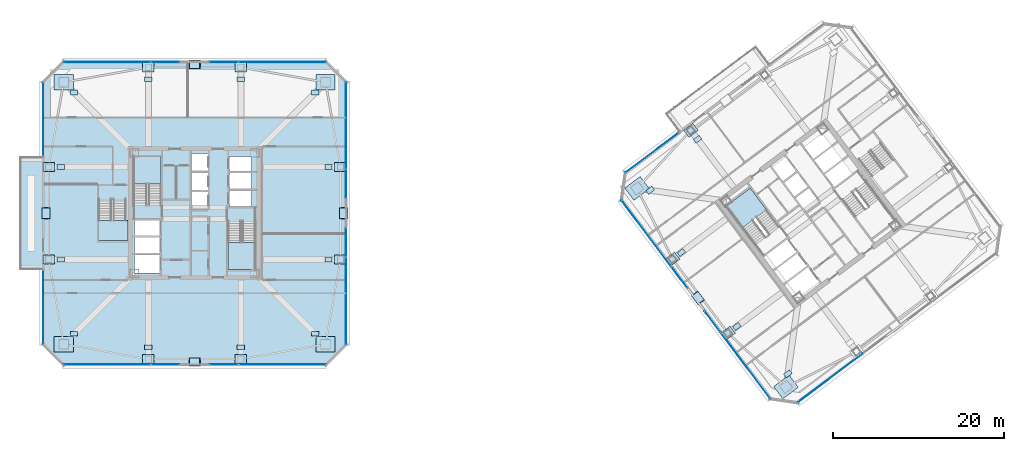
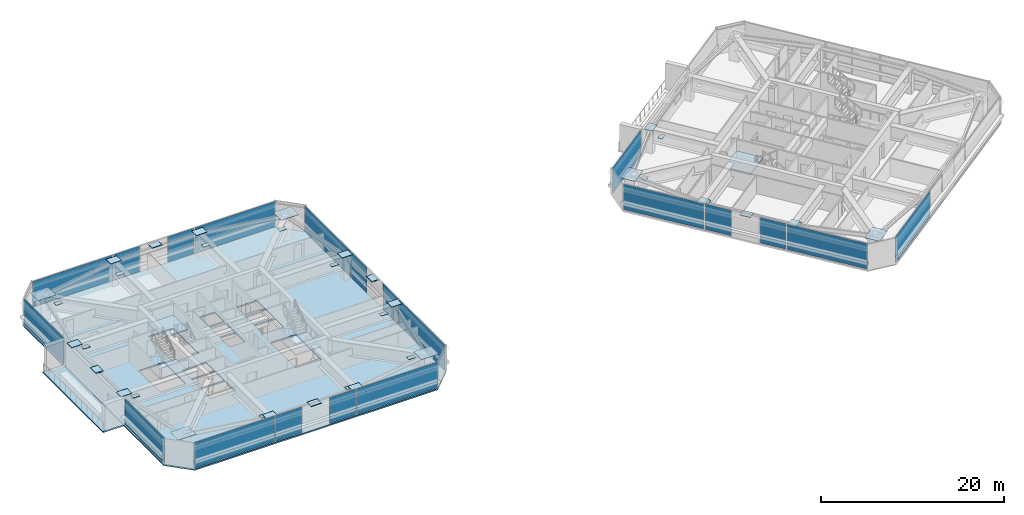
# One storey, part 30 of 42: 64 plates, 6 slabs, 24 elements without a shape of their own.
"""IFC4 building model written with IfcOpenShell, lengths in metres."""

import ifcopenshell
import ifcopenshell.guid

model = None  # the IFC model being written
_history = None  # IfcOwnerHistory: only IFC2X3 demands one
_inside = {}  # id of a spatial element -> (the spatial element, [elements in it])
_under = {}  # id of a project, library or spatial element -> (it, [spatial elements below it])
_declared = {}  # id of a project -> (the project, [libraries it declares])
_typed = {}  # id of a type object -> (the type object, [elements of that type])
_made_of = {}  # id of a material, layer set ... -> (it, [elements and type objects made of it])


def new_model(schema):
    """Start an empty IFC model of exactly this schema.

    Asked for "IFC4X3", IfcOpenShell would pick the latest addendum, in which some entities
    have other attributes; the version numbers below select the first issue.
    IFC2X3 requires an IfcOwnerHistory on every rooted entity: one is made here for all.
    """
    global model, _history
    if schema == "IFC4X3":
        model = ifcopenshell.file(schema_version=(4, 3, 0, 0))
    else:
        model = ifcopenshell.file(schema=schema)
    _inside.clear()
    _under.clear()
    _declared.clear()
    _typed.clear()
    _made_of.clear()
    _history = None
    if model.schema == "IFC2X3":
        org = make("IfcOrganization", Name="unknown")
        user = make(
            "IfcPersonAndOrganization",
            ThePerson=make("IfcPerson", FamilyName="unknown"),
            TheOrganization=org,
        )
        app = make(
            "IfcApplication",
            ApplicationDeveloper=org,
            Version="unknown",
            ApplicationFullName="unknown",
            ApplicationIdentifier="unknown",
        )
        _history = make(
            "IfcOwnerHistory",
            OwningUser=user,
            OwningApplication=app,
            ChangeAction="ADDED",
            CreationDate=0,
        )
    return model


def make(cls, **values):
    """One entity of the class cls with the attributes given. An attribute that is None is left unset."""
    return model.create_entity(
        cls, **{name: value for name, value in values.items() if value is not None}
    )


def rooted(cls, **values):
    """An entity with a GlobalId (a new one), such as an element, a storey or a relation."""
    return make(cls, GlobalId=ifcopenshell.guid.new(), OwnerHistory=_history, **values)


def si_unit(unit_type, name, prefix=None):
    """IfcSIUnit, for example si_unit("LENGTHUNIT", "METRE", prefix="MILLI")."""
    return make("IfcSIUnit", UnitType=unit_type, Prefix=prefix, Name=name)


def assignment(units):
    """IfcUnitAssignment: the units of a project."""
    return None if units is None else make("IfcUnitAssignment", Units=units)


def point(xyz):
    """IfcCartesianPoint."""
    return None if xyz is None else make("IfcCartesianPoint", Coordinates=xyz)


def direction(xyz):
    """IfcDirection."""
    return None if xyz is None else make("IfcDirection", DirectionRatios=xyz)


def frame(location, z_axis=None, x_axis=None):
    """IfcAxis2Placement3D, a coordinate frame: its origin and axes. An axis left out is left unset."""
    return make(
        "IfcAxis2Placement3D",
        Location=point(location),
        Axis=direction(z_axis),
        RefDirection=direction(x_axis),
    )


def frame_2d(location, x_axis=None):
    """IfcAxis2Placement2D, a coordinate frame in the plane: its origin and x axis."""
    return make(
        "IfcAxis2Placement2D", Location=point(location), RefDirection=direction(x_axis)
    )


def origin():
    """The frame at (0, 0, 0) with its axes left unset."""
    return frame((0.0, 0.0, 0.0))


def origin_2d():
    """The frame at (0, 0) in the plane with its x axis left unset."""
    return frame_2d((0.0, 0.0))


def place(relative_to, where):
    """IfcLocalPlacement: puts the frame where relative to a parent placement (None: the world)."""
    return make(
        "IfcLocalPlacement", PlacementRelTo=relative_to, RelativePlacement=where
    )


def context(
    kind, dimensions, precision=None, world=None, true_north=None, identifier=None
):
    """IfcGeometricRepresentationContext, for example the 3D "Model" context."""
    return make(
        "IfcGeometricRepresentationContext",
        ContextIdentifier=identifier,
        ContextType=kind,
        CoordinateSpaceDimension=dimensions,
        Precision=precision,
        WorldCoordinateSystem=world,
        TrueNorth=true_north,
    )


def subcontext(parent, identifier, kind, view, scale=None):
    """IfcGeometricRepresentationSubContext, for example "Body" below "Model"."""
    return make(
        "IfcGeometricRepresentationSubContext",
        ContextIdentifier=identifier,
        ContextType=kind,
        ParentContext=parent,
        TargetScale=scale,
        TargetView=view,
    )


def project(units=None, contexts=None):
    """IfcProject with its units and contexts."""
    return rooted(
        "IfcProject",
        Name="project",
        RepresentationContexts=contexts,
        UnitsInContext=assignment(units),
    )


def spatial(cls, under=None, at=None, **own):
    """A site, building, storey or space (cls), placed at a placement, below another one or the project."""
    s = rooted(cls, ObjectPlacement=at, **own)
    if under is not None:
        _under.setdefault(under.id(), (under, []))[1].append(s)
    return s


def polyline(points):
    """IfcPolyline through the points."""
    return make("IfcPolyline", Points=[point(p) for p in points])


def profile(cls, at=None, kind="AREA", **sizes):
    """A parametric profile (cls). Its sizes go by their IFC names, for example OverallWidth=200.0."""
    return make(cls, ProfileType=kind, Position=at, **sizes)


def rectangle(**sizes):
    """IfcRectangleProfileDef."""
    return profile("IfcRectangleProfileDef", **sizes)


def outline(outer, holes=None, kind="AREA"):
    """IfcArbitraryClosedProfileDef: a profile drawn as a closed curve; with holes, ...WithVoids."""
    if holes is None:
        return make("IfcArbitraryClosedProfileDef", ProfileType=kind, OuterCurve=outer)
    return make(
        "IfcArbitraryProfileDefWithVoids",
        ProfileType=kind,
        OuterCurve=outer,
        InnerCurves=holes,
    )


def extrude(swept, where, along, depth):
    """IfcExtrudedAreaSolid: the profile swept, set in the frame where, extruded along a direction by depth."""
    return make(
        "IfcExtrudedAreaSolid",
        SweptArea=swept,
        Position=where,
        ExtrudedDirection=direction(along),
        Depth=depth,
    )


def shape(context_of_items, identifier, shape_type, items):
    """IfcShapeRepresentation: the items that make up one representation, for example the "Body"."""
    return make(
        "IfcShapeRepresentation",
        ContextOfItems=context_of_items,
        RepresentationIdentifier=identifier,
        RepresentationType=shape_type,
        Items=items,
    )


def material(Name=None, Category=None):
    """IfcMaterial."""
    return make("IfcMaterial", Name=Name, Category=Category)


def layer(
    of_material, thickness, ventilated=None, Name=None, Category=None, Priority=None
):
    """IfcMaterialLayer: one layer of a wall or slab, of a material (None: an air gap)."""
    return make(
        "IfcMaterialLayer",
        Material=of_material,
        LayerThickness=thickness,
        IsVentilated=ventilated,
        Name=Name,
        Category=Category,
        Priority=Priority,
    )


def layer_set(layers, Name=None):
    """IfcMaterialLayerSet."""
    return make("IfcMaterialLayerSet", MaterialLayers=layers, LayerSetName=Name)


def made_of(thing, what):
    """Note that an element or type object is made of a material, layer set ...; save() writes the relation."""
    if what is not None:
        _made_of.setdefault(what.id(), (what, []))[1].append(thing)
    return thing


def type_object(cls, material=None, **own):
    """A type object (cls), such as IfcWallType, which elements share."""
    return made_of(rooted(cls, **own), material)


def element(
    cls,
    number,
    at=None,
    inside=None,
    cuts=None,
    type_object=None,
    material=None,
    context=None,
    identifier="Body",
    shape_type=None,
    held_by="IfcProductDefinitionShape",
    body=None,
    shapes=None,
    **own,
):
    """One element of the class cls, such as IfcWall. Its Tag is "e" and its number.

    at: its placement. inside: the storey or other place that contains it. cuts: it is an
    opening in that element (IfcRelVoidsElement). A single representation is given by context,
    identifier, shape_type and body (its items); several are given by shapes. held_by: the class
    of the entity that holds the representations. save() writes the other relations.
    """
    e = rooted(cls, Tag="e%d" % number, ObjectPlacement=at, **own)
    if body is not None:
        shapes = [shape(context, identifier, shape_type, body)]
    if shapes is not None:
        e.Representation = make(held_by, Representations=shapes)
    if inside is not None:
        _inside.setdefault(inside.id(), (inside, []))[1].append(e)
    if cuts is not None:
        rooted(
            "IfcRelVoidsElement", RelatingBuildingElement=cuts, RelatedOpeningElement=e
        )
    if type_object is not None:
        _typed.setdefault(type_object.id(), (type_object, []))[1].append(e)
    return made_of(e, material)


def aggregate(whole, parts):
    """IfcRelAggregates: a whole, such as a stair, and the parts it consists of."""
    return rooted("IfcRelAggregates", RelatingObject=whole, RelatedObjects=parts)


def save(model, path):
    """Write the relations noted so far, then the file.

    IfcRelAggregates (storeys below a building ...), IfcRelContainedInSpatialStructure (elements
    in a storey), IfcRelDefinesByType, IfcRelAssociatesMaterial and IfcRelDeclares: one each for
    every whole, place, type object, material and project.
    """
    for whole, parts in _under.values():
        aggregate(whole, parts)
    for where, things in _inside.values():
        rooted(
            "IfcRelContainedInSpatialStructure",
            RelatedElements=things,
            RelatingStructure=where,
        )
    for kind, things in _typed.values():
        rooted("IfcRelDefinesByType", RelatedObjects=things, RelatingType=kind)
    for what, things in _made_of.values():
        rooted("IfcRelAssociatesMaterial", RelatedObjects=things, RelatingMaterial=what)
    for by, libraries in _declared.values():
        rooted("IfcRelDeclares", RelatingContext=by, RelatedDefinitions=libraries)
    model.write(path)


model = new_model("IFC4")

# Units and contexts
model_context = context("Model", 3, precision=1e-05, world=origin(), true_north=direction((0.0, 1.0)))
body_context = subcontext(model_context, "Body", "Model", "MODEL_VIEW")
ifc_project = project(units=[si_unit("LENGTHUNIT", "METRE"), si_unit("AREAUNIT", "SQUARE_METRE"), si_unit("VOLUMEUNIT", "CUBIC_METRE"), si_unit("PLANEANGLEUNIT", "RADIAN"), si_unit("MASSUNIT", "GRAM", prefix="KILO")], contexts=[model_context])

# Site, building, storey
site_placement = place(None, origin())
site = spatial("IfcSite", under=ifc_project, at=site_placement, CompositionType="ELEMENT")
building_placement = place(site_placement, origin())
building = spatial("IfcBuilding", under=site, at=building_placement, Name="Tashvorn Skyway Center", CompositionType="ELEMENT")
storey_placement = place(building_placement, frame((0.0, 0.0, 196.050048828125)))
storey = spatial("IfcBuildingStorey", under=building, at=storey_placement, Name="L53", CompositionType="ELEMENT", Elevation=196.050048828125)

# Curtain wall, plate
ifc_material_1 = material(Name="Thermally broken bronze-anodized aluminium 6063-T6", Category="aluminium")
curtain_wall_type = type_object("IfcCurtainWallType", Name="CW-CW-Z4", PredefinedType="NOTDEFINED", material=ifc_material_1)
curtain_wall_1_placement = place(storey_placement, origin())
curtain_wall_1 = element("IfcCurtainWall", 1, at=curtain_wall_1_placement, inside=storey, type_object=curtain_wall_type, Name="Tower 1 L53 South Unitised Curtain Wall Glazing Group 1", PredefinedType="NOTDEFINED")
ifc_material_2 = material(Name="Low-E solar-control double insulating safety glass", Category="glass")
ifc_layer_1 = layer(ifc_material_2, 0.035888671875)
ifc_layer_set_1 = layer_set([ifc_layer_1], Name="Low-E solar-control double insulating safety glass")
plate_type_1 = type_object("IfcPlateType", Name="CWP-CW-Z4", PredefinedType="CURTAIN_PANEL", material=ifc_layer_set_1)
plate_1_placement = place(storey_placement, frame((52.25341796875, 14.320068359375, 0.06982421875), z_axis=(0.0, 0.0, 1.0), x_axis=(-1.0, 0.0, 0.0)))
plate_1 = element("IfcPlate", 2, at=plate_1_placement, type_object=plate_type_1, Name="CW-Z4 panel 1.1", PredefinedType="CURTAIN_PANEL", context=body_context, shape_type="SweptSolid", body=[
    extrude(rectangle(XDim=10.11328125, YDim=0.035888671875, at=origin_2d()), origin(), (0.0, 0.0, 1.0), 3.409912109375),
])
aggregate(curtain_wall_1, [plate_1])

curtain_wall_2_placement = place(storey_placement, origin())
curtain_wall_2 = element("IfcCurtainWall", 3, at=curtain_wall_2_placement, inside=storey, type_object=curtain_wall_type, Name="Tower 1 L53 South Unitised Curtain Wall Glazing Group 2", PredefinedType="NOTDEFINED")
plate_2_placement = place(storey_placement, frame((45.417724609375, 14.320068359375, 0.06982421875), z_axis=(0.0, 0.0, 1.0), x_axis=(-1.0, 0.0, 0.0)))
plate_2 = element("IfcPlate", 4, at=plate_2_placement, type_object=plate_type_1, Name="CW-Z4 panel 1.1", PredefinedType="CURTAIN_PANEL", context=body_context, shape_type="SweptSolid", body=[
    extrude(rectangle(XDim=3.27783203125, YDim=0.035888671875, at=origin_2d()), origin(), (0.0, 0.0, 1.0), 3.409912109375),
])
aggregate(curtain_wall_2, [plate_2])

curtain_wall_3_placement = place(storey_placement, origin())
curtain_wall_3 = element("IfcCurtainWall", 5, at=curtain_wall_3_placement, inside=storey, type_object=curtain_wall_type, Name="Tower 1 L53 South Unitised Curtain Wall Glazing Group 3", PredefinedType="NOTDEFINED")
plate_3_placement = place(storey_placement, frame((38.582275390625, 14.320068359375, 0.06982421875), z_axis=(0.0, 0.0, 1.0), x_axis=(-1.0, 0.0, 0.0)))
plate_3 = element("IfcPlate", 6, at=plate_3_placement, type_object=plate_type_1, Name="CW-Z4 panel 1.1", PredefinedType="CURTAIN_PANEL", context=body_context, shape_type="SweptSolid", body=[
    extrude(rectangle(XDim=3.27783203125, YDim=0.035888671875, at=origin_2d()), origin(), (0.0, 0.0, 1.0), 3.409912109375),
])
aggregate(curtain_wall_3, [plate_3])

curtain_wall_4_placement = place(storey_placement, origin())
curtain_wall_4 = element("IfcCurtainWall", 7, at=curtain_wall_4_placement, inside=storey, type_object=curtain_wall_type, Name="Tower 1 L53 South Unitised Curtain Wall Glazing Group 4", PredefinedType="NOTDEFINED")
plate_4_placement = place(storey_placement, frame((31.74658203125, 14.320068359375, 0.06982421875), z_axis=(0.0, 0.0, 1.0), x_axis=(-1.0, 0.0, 0.0)))
plate_4 = element("IfcPlate", 8, at=plate_4_placement, type_object=plate_type_1, Name="CW-Z4 panel 1.1", PredefinedType="CURTAIN_PANEL", context=body_context, shape_type="SweptSolid", body=[
    extrude(rectangle(XDim=10.11328125, YDim=0.035888671875, at=origin_2d()), origin(), (0.0, 0.0, 1.0), 3.409912109375),
])
aggregate(curtain_wall_4, [plate_4])

curtain_wall_5_placement = place(storey_placement, origin())
curtain_wall_5 = element("IfcCurtainWall", 9, at=curtain_wall_5_placement, inside=storey, type_object=curtain_wall_type, Name="Tower 1 L53 West Curtain Wall L", PredefinedType="NOTDEFINED")
plate_5_placement = place(storey_placement, frame((24.320068359375, 21.010009765625, 0.06982421875), z_axis=(0.0, 0.0, 1.0), x_axis=(0.0, 1.0, 0.0)))
plate_5 = element("IfcPlate", 10, at=plate_5_placement, type_object=plate_type_1, Name="CW-Z4 panel 1.1", PredefinedType="CURTAIN_PANEL", context=body_context, shape_type="SweptSolid", body=[
    extrude(rectangle(XDim=8.639892578125, YDim=0.035888671875, at=origin_2d()), origin(), (0.0, 0.0, 1.0), 3.409912109375),
])
aggregate(curtain_wall_5, [plate_5])

curtain_wall_6_placement = place(storey_placement, origin())
curtain_wall_6 = element("IfcCurtainWall", 11, at=curtain_wall_6_placement, inside=storey, type_object=curtain_wall_type, Name="Tower 1 L53 West Curtain Wall R", PredefinedType="NOTDEFINED")
plate_6_placement = place(storey_placement, frame((24.320068359375, 42.989990234375, 0.06982421875), z_axis=(0.0, 0.0, 1.0), x_axis=(0.0, 1.0, 0.0)))
plate_6 = element("IfcPlate", 12, at=plate_6_placement, type_object=plate_type_1, Name="CW-Z4 panel 1.1", PredefinedType="CURTAIN_PANEL", context=body_context, shape_type="SweptSolid", body=[
    extrude(rectangle(XDim=8.639892578125, YDim=0.035888671875, at=origin_2d()), origin(), (0.0, 0.0, 1.0), 3.409912109375),
])
aggregate(curtain_wall_6, [plate_6])

curtain_wall_7_placement = place(storey_placement, origin())
curtain_wall_7 = element("IfcCurtainWall", 13, at=curtain_wall_7_placement, inside=storey, type_object=curtain_wall_type, Name="Tower 1 L53 North Unitised Curtain Wall Glazing Group 1", PredefinedType="NOTDEFINED")
plate_7_placement = place(storey_placement, frame((31.74658203125, 49.679931640625, 0.06982421875), z_axis=(0.0, 0.0, 1.0), x_axis=(1.0, 0.0, 0.0)))
plate_7 = element("IfcPlate", 14, at=plate_7_placement, type_object=plate_type_1, Name="CW-Z4 panel 1.1", PredefinedType="CURTAIN_PANEL", context=body_context, shape_type="SweptSolid", body=[
    extrude(rectangle(XDim=10.11328125, YDim=0.035888671875, at=origin_2d()), origin(), (0.0, 0.0, 1.0), 3.409912109375),
])
aggregate(curtain_wall_7, [plate_7])

curtain_wall_8_placement = place(storey_placement, origin())
curtain_wall_8 = element("IfcCurtainWall", 15, at=curtain_wall_8_placement, inside=storey, type_object=curtain_wall_type, Name="Tower 1 L53 North Unitised Curtain Wall Glazing Group 2", PredefinedType="NOTDEFINED")
plate_8_placement = place(storey_placement, frame((38.582275390625, 49.679931640625, 0.06982421875), z_axis=(0.0, 0.0, 1.0), x_axis=(1.0, 0.0, 0.0)))
plate_8 = element("IfcPlate", 16, at=plate_8_placement, type_object=plate_type_1, Name="CW-Z4 panel 1.1", PredefinedType="CURTAIN_PANEL", context=body_context, shape_type="SweptSolid", body=[
    extrude(rectangle(XDim=3.27783203125, YDim=0.035888671875, at=origin_2d()), origin(), (0.0, 0.0, 1.0), 3.409912109375),
])
aggregate(curtain_wall_8, [plate_8])

curtain_wall_9_placement = place(storey_placement, origin())
curtain_wall_9 = element("IfcCurtainWall", 17, at=curtain_wall_9_placement, inside=storey, type_object=curtain_wall_type, Name="Tower 1 L53 North Unitised Curtain Wall Glazing Group 3", PredefinedType="NOTDEFINED")
plate_9_placement = place(storey_placement, frame((45.417724609375, 49.679931640625, 0.06982421875), z_axis=(0.0, 0.0, 1.0), x_axis=(1.0, 0.0, 0.0)))
plate_9 = element("IfcPlate", 18, at=plate_9_placement, type_object=plate_type_1, Name="CW-Z4 panel 1.1", PredefinedType="CURTAIN_PANEL", context=body_context, shape_type="SweptSolid", body=[
    extrude(rectangle(XDim=3.27783203125, YDim=0.035888671875, at=origin_2d()), origin(), (0.0, 0.0, 1.0), 3.409912109375),
])
aggregate(curtain_wall_9, [plate_9])

curtain_wall_10_placement = place(storey_placement, origin())
curtain_wall_10 = element("IfcCurtainWall", 19, at=curtain_wall_10_placement, inside=storey, type_object=curtain_wall_type, Name="Tower 1 L53 North Unitised Curtain Wall Glazing Group 4", PredefinedType="NOTDEFINED")
plate_10_placement = place(storey_placement, frame((52.25341796875, 49.679931640625, 0.06982421875), z_axis=(0.0, 0.0, 1.0), x_axis=(1.0, 0.0, 0.0)))
plate_10 = element("IfcPlate", 20, at=plate_10_placement, type_object=plate_type_1, Name="CW-Z4 panel 1.1", PredefinedType="CURTAIN_PANEL", context=body_context, shape_type="SweptSolid", body=[
    extrude(rectangle(XDim=10.11328125, YDim=0.035888671875, at=origin_2d()), origin(), (0.0, 0.0, 1.0), 3.409912109375),
])
aggregate(curtain_wall_10, [plate_10])

curtain_wall_11_placement = place(storey_placement, origin())
curtain_wall_11 = element("IfcCurtainWall", 21, at=curtain_wall_11_placement, inside=storey, type_object=curtain_wall_type, Name="Tower 1 L53 East Unitised Curtain Wall Glazing Group 1", PredefinedType="NOTDEFINED")
plate_11_placement = place(storey_placement, frame((59.679931640625, 42.25341796875, 0.06982421875), z_axis=(0.0, 0.0, 1.0), x_axis=(0.0, -1.0, 0.0)))
plate_11 = element("IfcPlate", 22, at=plate_11_placement, type_object=plate_type_1, Name="CW-Z4 panel 1.1", PredefinedType="CURTAIN_PANEL", context=body_context, shape_type="SweptSolid", body=[
    extrude(rectangle(XDim=10.11328125, YDim=0.035888671875, at=origin_2d()), origin(), (0.0, 0.0, 1.0), 3.409912109375),
])
aggregate(curtain_wall_11, [plate_11])

curtain_wall_12_placement = place(storey_placement, origin())
curtain_wall_12 = element("IfcCurtainWall", 23, at=curtain_wall_12_placement, inside=storey, type_object=curtain_wall_type, Name="Tower 1 L53 East Unitised Curtain Wall Glazing Group 2", PredefinedType="NOTDEFINED")
plate_12_placement = place(storey_placement, frame((59.679931640625, 35.417724609375, 0.06982421875), z_axis=(0.0, 0.0, 1.0), x_axis=(0.0, -1.0, 0.0)))
plate_12 = element("IfcPlate", 24, at=plate_12_placement, type_object=plate_type_1, Name="CW-Z4 panel 1.1", PredefinedType="CURTAIN_PANEL", context=body_context, shape_type="SweptSolid", body=[
    extrude(rectangle(XDim=3.27783203125, YDim=0.035888671875, at=origin_2d()), origin(), (0.0, 0.0, 1.0), 3.409912109375),
])
aggregate(curtain_wall_12, [plate_12])

curtain_wall_13_placement = place(storey_placement, origin())
curtain_wall_13 = element("IfcCurtainWall", 25, at=curtain_wall_13_placement, inside=storey, type_object=curtain_wall_type, Name="Tower 1 L53 East Unitised Curtain Wall Glazing Group 3", PredefinedType="NOTDEFINED")
plate_13_placement = place(storey_placement, frame((59.679931640625, 28.582275390625, 0.06982421875), z_axis=(0.0, 0.0, 1.0), x_axis=(0.0, -1.0, 0.0)))
plate_13 = element("IfcPlate", 26, at=plate_13_placement, type_object=plate_type_1, Name="CW-Z4 panel 1.1", PredefinedType="CURTAIN_PANEL", context=body_context, shape_type="SweptSolid", body=[
    extrude(rectangle(XDim=3.27783203125, YDim=0.035888671875, at=origin_2d()), origin(), (0.0, 0.0, 1.0), 3.409912109375),
])
aggregate(curtain_wall_13, [plate_13])

curtain_wall_14_placement = place(storey_placement, origin())
curtain_wall_14 = element("IfcCurtainWall", 27, at=curtain_wall_14_placement, inside=storey, type_object=curtain_wall_type, Name="Tower 1 L53 East Unitised Curtain Wall Glazing Group 4", PredefinedType="NOTDEFINED")
plate_14_placement = place(storey_placement, frame((59.679931640625, 21.74658203125, 0.06982421875), z_axis=(0.0, 0.0, 1.0), x_axis=(0.0, -1.0, 0.0)))
plate_14 = element("IfcPlate", 28, at=plate_14_placement, type_object=plate_type_1, Name="CW-Z4 panel 1.1", PredefinedType="CURTAIN_PANEL", context=body_context, shape_type="SweptSolid", body=[
    extrude(rectangle(XDim=10.11328125, YDim=0.035888671875, at=origin_2d()), origin(), (0.0, 0.0, 1.0), 3.409912109375),
])
aggregate(curtain_wall_14, [plate_14])

curtain_wall_15_placement = place(storey_placement, origin())
curtain_wall_15 = element("IfcCurtainWall", 29, at=curtain_wall_15_placement, inside=storey, type_object=curtain_wall_type, Name="Tower 2 L53 South Unitised Curtain Wall Glazing Group 4", PredefinedType="NOTDEFINED")
plate_15_placement = place(storey_placement, frame((116.2919921875, 12.743896484375, 0.06982421875), z_axis=(0.0, 0.0, 1.0), x_axis=(-0.799999999998, -0.600000000002, 0.0)))
plate_15 = element("IfcPlate", 30, at=plate_15_placement, type_object=plate_type_1, Name="CW-Z4 panel 1.1", PredefinedType="CURTAIN_PANEL", context=body_context, shape_type="SweptSolid", body=[
    extrude(rectangle(XDim=9.580078125, YDim=0.035888671875, at=origin_2d()), origin(), (0.0, 0.0, 1.0), 3.409912109375),
])
aggregate(curtain_wall_15, [plate_15])

curtain_wall_16_placement = place(storey_placement, origin())
curtain_wall_16 = element("IfcCurtainWall", 31, at=curtain_wall_16_placement, inside=storey, type_object=curtain_wall_type, Name="Tower 2 L53 West Unitised Curtain Wall Glazing Group 1", PredefinedType="NOTDEFINED")
plate_16_placement = place(storey_placement, frame((106.407958984375, 14.156005859375, 0.06982421875), z_axis=(0.0, 0.0, 1.0), x_axis=(-0.600000000002, 0.799999999998, 0.0)))
plate_16 = element("IfcPlate", 32, at=plate_16_placement, type_object=plate_type_1, Name="CW-Z4 panel 1.1", PredefinedType="CURTAIN_PANEL", context=body_context, shape_type="SweptSolid", body=[
    extrude(rectangle(XDim=9.580078125, YDim=0.035888671875, at=origin_2d()), origin(), (0.0, 0.0, 1.0), 3.409912109375),
])
aggregate(curtain_wall_16, [plate_16])

curtain_wall_17_placement = place(storey_placement, origin())
curtain_wall_17 = element("IfcCurtainWall", 33, at=curtain_wall_17_placement, inside=storey, type_object=curtain_wall_type, Name="Tower 2 L53 West Unitised Curtain Wall Glazing Group 2", PredefinedType="NOTDEFINED")
plate_17_placement = place(storey_placement, frame((102.52001953125, 19.340087890625, 0.06982421875), z_axis=(0.0, 0.0, 1.0), x_axis=(-0.600000000002, 0.799999999998, 0.0)))
plate_17 = element("IfcPlate", 34, at=plate_17_placement, type_object=plate_type_1, Name="CW-Z4 panel 1.1", PredefinedType="CURTAIN_PANEL", context=body_context, shape_type="SweptSolid", body=[
    extrude(rectangle(XDim=3.10009765625, YDim=0.035888671875, at=origin_2d()), origin(), (0.0, 0.0, 1.0), 3.409912109375),
])
aggregate(curtain_wall_17, [plate_17])

curtain_wall_18_placement = place(storey_placement, origin())
curtain_wall_18 = element("IfcCurtainWall", 35, at=curtain_wall_18_placement, inside=storey, type_object=curtain_wall_type, Name="Tower 2 L53 West Unitised Curtain Wall Glazing Group 3", PredefinedType="NOTDEFINED")
plate_18_placement = place(storey_placement, frame((98.632080078125, 24.52392578125, 0.06982421875), z_axis=(0.0, 0.0, 1.0), x_axis=(-0.600000000002, 0.799999999998, 0.0)))
plate_18 = element("IfcPlate", 36, at=plate_18_placement, type_object=plate_type_1, Name="CW-Z4 panel 1.1", PredefinedType="CURTAIN_PANEL", context=body_context, shape_type="SweptSolid", body=[
    extrude(rectangle(XDim=3.10009765625, YDim=0.035888671875, at=origin_2d()), origin(), (0.0, 0.0, 1.0), 3.409912109375),
])
aggregate(curtain_wall_18, [plate_18])

curtain_wall_19_placement = place(storey_placement, origin())
curtain_wall_19 = element("IfcCurtainWall", 37, at=curtain_wall_19_placement, inside=storey, type_object=curtain_wall_type, Name="Tower 2 L53 West Unitised Curtain Wall Glazing Group 4", PredefinedType="NOTDEFINED")
plate_19_placement = place(storey_placement, frame((94.743896484375, 29.7080078125, 0.06982421875), z_axis=(0.0, 0.0, 1.0), x_axis=(-0.600000000002, 0.799999999998, 0.0)))
plate_19 = element("IfcPlate", 38, at=plate_19_placement, type_object=plate_type_1, Name="CW-Z4 panel 1.1", PredefinedType="CURTAIN_PANEL", context=body_context, shape_type="SweptSolid", body=[
    extrude(rectangle(XDim=9.580078125, YDim=0.035888671875, at=origin_2d()), origin(), (0.0, 0.0, 1.0), 3.409912109375),
])
aggregate(curtain_wall_19, [plate_19])

curtain_wall_20_placement = place(storey_placement, origin())
curtain_wall_20 = element("IfcCurtainWall", 39, at=curtain_wall_20_placement, inside=storey, type_object=curtain_wall_type, Name="Tower 2 L53 North Curtain Wall L", PredefinedType="NOTDEFINED")
plate_20_placement = place(storey_placement, frame((95.4599609375, 39.070068359375, 0.06982421875), z_axis=(0.0, 0.0, 1.0), x_axis=(0.799999999998, 0.600000000002, 0.0)))
plate_20 = element("IfcPlate", 40, at=plate_20_placement, type_object=plate_type_1, Name="CW-Z4 panel 1.1", PredefinedType="CURTAIN_PANEL", context=body_context, shape_type="SweptSolid", body=[
    extrude(rectangle(XDim=7.840087890625, YDim=0.035888671875, at=origin_2d()), origin(), (0.0, 0.0, 1.0), 3.409912109375),
])
aggregate(curtain_wall_20, [plate_20])

# Plates
ifc_material_3 = material(Name="Steel ASTM A572 Grade 50", Category="steel")
ifc_layer_2 = layer(ifc_material_3, 0.034912109375)
ifc_layer_set_2 = layer_set([ifc_layer_2], Name="Steel ASTM A572 Grade 50")
plate_type_2 = type_object("IfcPlateType", Name="PLT-CAP-35", PredefinedType="USERDEFINED", material=ifc_layer_set_2)
for number, where, z_axis, x_axis, name in (
    (41, (42.0, 14.6201171875, 3.2373046875), (0.0, 0.0, 1.0), (1.0, 0.0, 0.0), "Tower 1 Zone 4 S Hollow-Section End Cap Plate"),
    (42, (59.3798828125, 32.0, 3.2373046875), (0.0, 0.0, 1.0), (0.0, 1.0, 0.0), "Tower 1 Zone 4 E Hollow-Section End Cap Plate"),
    (43, (42.0, 49.3798828125, 3.2373046875), (0.0, 0.0, 1.0), (-1.0, 0.0, 0.0), "Tower 1 Zone 4 N Hollow-Section End Cap Plate"),
    (44, (24.6201171875, 32.0, 3.2373046875), (0.0, 0.0, 1.0), (0.0, -1.0, 0.0), "Tower 1 Zone 4 W Hollow-Section End Cap Plate"),
    (45, (100.81591796875, 22.112060546875, 3.2373046875), (0.0, 0.0, 1.0), (0.600000004945, -0.799999996291, 0.0), "Tower 2 Zone 4 W Hollow-Section End Cap Plate"),
):
    element("IfcPlate", number, at=place(storey_placement, frame(where, z_axis=z_axis, x_axis=x_axis)), inside=storey, type_object=plate_type_2, Name=name, ObjectType="END PLATE", PredefinedType="USERDEFINED", context=body_context, shape_type="SweptSolid", body=[
        extrude(rectangle(XDim=1.199951171875, YDim=0.919921875, at=origin_2d()), origin(), (0.0, 0.0, 1.0), 0.034912109375),
    ])
ifc_layer_3 = layer(ifc_material_3, 0.050048828125)
ifc_layer_set_3 = layer_set([ifc_layer_3], Name="Steel ASTM A572 Grade 50")
plate_type_3 = type_object("IfcPlateType", Name="PLT-ENDCAP-1650", PredefinedType="USERDEFINED", material=ifc_layer_set_3)
for number, where, z_axis, x_axis, name in (
    (46, (26.699951171875, 16.699951171875, 3.23974609375), (0.0, 0.0, 1.0), (1.0, 0.0, 0.0), "Tower 1 L53 MC-SW Setback Cap End Plate"),
    (47, (57.300048828125, 16.699951171875, 3.23974609375), (0.0, 0.0, 1.0), (1.0, 0.0, 0.0), "Tower 1 L53 MC-SE Setback Cap End Plate"),
    (48, (57.300048828125, 47.300048828125, 3.23974609375), (0.0, 0.0, 1.0), (1.0, 0.0, 0.0), "Tower 1 L53 MC-NE Setback Cap End Plate"),
    (49, (26.699951171875, 47.300048828125, 3.23974609375), (0.0, 0.0, 1.0), (1.0, 0.0, 0.0), "Tower 1 L53 MC-NW Setback Cap End Plate"),
    (50, (111.10009765625, 11.699951171875, 3.23974609375), (0.0, 0.0, 1.0), (0.799999996291, 0.600000004945, 0.0), "Tower 2 L53 MC-SW Setback Cap End Plate"),
    (51, (93.699951171875, 34.89990234375, 3.23974609375), (0.0, 0.0, 1.0), (0.799999996291, 0.600000004945, 0.0), "Tower 2 L53 MC-NW Setback Cap End Plate"),
):
    element("IfcPlate", number, at=place(storey_placement, frame(where, z_axis=z_axis, x_axis=x_axis)), inside=storey, type_object=plate_type_3, Name=name, ObjectType="END PLATE", PredefinedType="USERDEFINED", context=body_context, shape_type="SweptSolid", body=[
        extrude(rectangle(XDim=2.25, YDim=1.780029296875, at=origin_2d()), origin(), (0.0, 0.0, 1.0), 0.050048828125),
    ])
ifc_layer_4 = layer(ifc_material_3, 0.050048828125)
ifc_layer_set_4 = layer_set([ifc_layer_4], Name="Steel ASTM A572 Grade 50")
plate_type_4 = type_object("IfcPlateType", Name="PLT-ENDCAP-900", PredefinedType="USERDEFINED", material=ifc_layer_set_4)
for number, where, z_axis, x_axis, name in (
    (52, (36.60009765625, 14.949951171875, 3.23974609375), (0.0, 0.0, 1.0), (1.0, 0.0, 0.0), "Tower 1 L53 FC-S1 Setback Cap End Plate"),
    (53, (47.39990234375, 14.949951171875, 3.23974609375), (0.0, 0.0, 1.0), (1.0, 0.0, 0.0), "Tower 1 L53 FC-S2 Setback Cap End Plate"),
    (54, (59.050048828125, 26.60009765625, 3.23974609375), (0.0, 0.0, 1.0), (1.0, 0.0, 0.0), "Tower 1 L53 FC-E1 Setback Cap End Plate"),
    (55, (59.050048828125, 37.39990234375, 3.23974609375), (0.0, 0.0, 1.0), (1.0, 0.0, 0.0), "Tower 1 L53 FC-E2 Setback Cap End Plate"),
    (56, (47.39990234375, 49.050048828125, 3.23974609375), (0.0, 0.0, 1.0), (1.0, 0.0, 0.0), "Tower 1 L53 FC-N1 Setback Cap End Plate"),
    (57, (36.60009765625, 49.050048828125, 3.23974609375), (0.0, 0.0, 1.0), (1.0, 0.0, 0.0), "Tower 1 L53 FC-N2 Setback Cap End Plate"),
    (58, (24.949951171875, 37.39990234375, 3.23974609375), (0.0, 0.0, 1.0), (1.0, 0.0, 0.0), "Tower 1 L53 FC-W1 Setback Cap End Plate"),
    (59, (24.949951171875, 26.60009765625, 3.23974609375), (0.0, 0.0, 1.0), (1.0, 0.0, 0.0), "Tower 1 L53 FC-W2 Setback Cap End Plate"),
    (60, (99.989990234375, 41.679931640625, 3.23974609375), (0.0, 0.0, 1.0), (0.799999996291, 0.600000004945, 0.0), "Tower 2 L53 FC-N2 Setback Cap End Plate"),
    (61, (97.840087890625, 26.6298828125, 3.23974609375), (0.0, 0.0, 1.0), (0.799999996291, 0.600000004945, 0.0), "Tower 2 L53 FC-W1 Setback Cap End Plate"),
    (62, (104.320068359375, 17.989990234375, 3.23974609375), (0.0, 0.0, 1.0), (0.799999996291, 0.600000004945, 0.0), "Tower 2 L53 FC-W2 Setback Cap End Plate"),
):
    element("IfcPlate", number, at=place(storey_placement, frame(where, z_axis=z_axis, x_axis=x_axis)), inside=storey, type_object=plate_type_4, Name=name, ObjectType="END PLATE", PredefinedType="USERDEFINED", context=body_context, shape_type="SweptSolid", body=[
        extrude(rectangle(XDim=1.35009765625, YDim=1.050048828125, at=origin_2d()), origin(), (0.0, 0.0, 1.0), 0.050048828125),
    ])
ifc_layer_5 = layer(ifc_material_3, 0.044921875)
ifc_layer_set_5 = layer_set([ifc_layer_5], Name="Steel ASTM A572 Grade 50")
plate_type_5 = type_object("IfcPlateType", Name="PLT-GUSSET-45", PredefinedType="USERDEFINED", material=ifc_layer_set_5)
for number, where, z_axis, x_axis, name in (
    (63, (42.0, 14.6201171875, 3.1923828125), (0.0, 0.0, 1.0), (1.0, 0.0, 0.0), "Tower 1 Zone 4 S Apex Node Gusset Plate"),
    (64, (59.3798828125, 32.0, 3.1923828125), (0.0, 0.0, 1.0), (0.0, 1.0, 0.0), "Tower 1 Zone 4 E Apex Node Gusset Plate"),
    (65, (42.0, 49.3798828125, 3.1923828125), (0.0, 0.0, 1.0), (-1.0, 0.0, 0.0), "Tower 1 Zone 4 N Apex Node Gusset Plate"),
    (66, (24.6201171875, 32.0, 3.1923828125), (0.0, 0.0, 1.0), (0.0, -1.0, 0.0), "Tower 1 Zone 4 W Apex Node Gusset Plate"),
    (67, (100.81591796875, 22.112060546875, 3.1923828125), (0.0, 0.0, 1.0), (0.600000004945, -0.799999996291, 0.0), "Tower 2 Zone 4 W Apex Node Gusset Plate"),
):
    element("IfcPlate", number, at=place(storey_placement, frame(where, z_axis=z_axis, x_axis=x_axis)), inside=storey, type_object=plate_type_5, Name=name, ObjectType="GUSSET PLATE", PredefinedType="USERDEFINED", context=body_context, shape_type="SweptSolid", body=[
        extrude(rectangle(XDim=1.35009765625, YDim=0.949951171875, at=origin_2d()), origin(), (0.0, 0.0, 1.0), 0.044921875),
    ])
ifc_layer_6 = layer(ifc_material_3, 0.030029296875)
ifc_layer_set_6 = layer_set([ifc_layer_6], Name="Steel ASTM A572 Grade 50")
plate_type_6 = type_object("IfcPlateType", Name="PLT-STIFF-30", PredefinedType="SHEET", material=ifc_layer_set_6)
for number, where, z_axis, x_axis, name in (
    (68, (27.89990234375, 17.89990234375, 2.3349609375), (0.0, 0.0, 1.0), (1.0, 0.0, 0.0), "Tower 1 L53 Transfer Bearing Stiffener MC-SW"),
    (69, (56.10009765625, 17.89990234375, 2.3349609375), (0.0, 0.0, 1.0), (1.0, 0.0, 0.0), "Tower 1 L53 Transfer Bearing Stiffener MC-SE"),
    (70, (56.10009765625, 46.10009765625, 2.3349609375), (0.0, 0.0, 1.0), (1.0, 0.0, 0.0), "Tower 1 L53 Transfer Bearing Stiffener MC-NE"),
    (71, (27.89990234375, 46.10009765625, 2.3349609375), (0.0, 0.0, 1.0), (1.0, 0.0, 0.0), "Tower 1 L53 Transfer Bearing Stiffener MC-NW"),
    (72, (36.60009765625, 16.35009765625, 2.3349609375), (0.0, 0.0, 1.0), (1.0, 0.0, 0.0), "Tower 1 L53 Transfer Bearing Stiffener FC-S1"),
    (73, (47.39990234375, 16.35009765625, 2.3349609375), (0.0, 0.0, 1.0), (1.0, 0.0, 0.0), "Tower 1 L53 Transfer Bearing Stiffener FC-S2"),
    (74, (57.64990234375, 26.60009765625, 2.3349609375), (0.0, 0.0, 1.0), (1.0, 0.0, 0.0), "Tower 1 L53 Transfer Bearing Stiffener FC-E1"),
    (75, (57.64990234375, 37.39990234375, 2.3349609375), (0.0, 0.0, 1.0), (1.0, 0.0, 0.0), "Tower 1 L53 Transfer Bearing Stiffener FC-E2"),
    (76, (47.39990234375, 47.64990234375, 2.3349609375), (0.0, 0.0, 1.0), (1.0, 0.0, 0.0), "Tower 1 L53 Transfer Bearing Stiffener FC-N1"),
    (77, (36.60009765625, 47.64990234375, 2.3349609375), (0.0, 0.0, 1.0), (1.0, 0.0, 0.0), "Tower 1 L53 Transfer Bearing Stiffener FC-N2"),
    (78, (26.35009765625, 37.39990234375, 2.3349609375), (0.0, 0.0, 1.0), (1.0, 0.0, 0.0), "Tower 1 L53 Transfer Bearing Stiffener FC-W1"),
    (79, (26.35009765625, 26.60009765625, 2.3349609375), (0.0, 0.0, 1.0), (1.0, 0.0, 0.0), "Tower 1 L53 Transfer Bearing Stiffener FC-W2"),
    (80, (111.320068359375, 13.239990234375, 2.3349609375), (0.0, 0.0, 1.0), (0.799999996291, 0.600000004945, 0.0), "Tower 2 L53 Transfer Bearing Stiffener MC-SW"),
    (81, (95.239990234375, 34.679931640625, 2.3349609375), (0.0, 0.0, 1.0), (0.799999996291, 0.600000004945, 0.0), "Tower 2 L53 Transfer Bearing Stiffener MC-NW"),
    (82, (100.77001953125, 40.639892578125, 2.3349609375), (0.0, 0.0, 1.0), (0.799999996291, 0.600000004945, 0.0), "Tower 2 L53 Transfer Bearing Stiffener FC-N2"),
    (83, (98.8798828125, 27.409912109375, 2.3349609375), (0.0, 0.0, 1.0), (0.799999996291, 0.600000004945, 0.0), "Tower 2 L53 Transfer Bearing Stiffener FC-W1"),
    (84, (105.360107421875, 18.77001953125, 2.3349609375), (0.0, 0.0, 1.0), (0.799999996291, 0.600000004945, 0.0), "Tower 2 L53 Transfer Bearing Stiffener FC-W2"),
):
    element("IfcPlate", number, at=place(storey_placement, frame(where, z_axis=z_axis, x_axis=x_axis)), inside=storey, type_object=plate_type_6, Name=name, PredefinedType="SHEET", context=body_context, shape_type="SweptSolid", body=[
        extrude(rectangle(XDim=0.85009765625, YDim=0.550048828125, at=origin_2d()), origin(), (0.0, 0.0, 1.0), 0.030029296875),
    ])

# Slab
ifc_material_4 = material(Name="Concrete C40/50", Category="concrete")
ifc_layer_7 = layer(ifc_material_4, 0.179931640625)
ifc_layer_set_7 = layer_set([ifc_layer_7], Name="Concrete C40/50")
slab_type_1 = type_object("IfcSlabType", Name="SLAB-FLR-180", PredefinedType="FLOOR", material=ifc_layer_set_7)
slab_1_placement = place(storey_placement, frame((0.0, 0.0, -0.179931640625)))
element("IfcSlab", 85, at=slab_1_placement, inside=storey, type_object=slab_type_1, Name="Tower 1 L53 Composite Floor Slab", PredefinedType="FLOOR", context=body_context, shape_type="SweptSolid", body=[
    extrude(outline(polyline([(26.699951171875, 14.199951171875), (57.300048828125, 14.199951171875), (59.800048828125, 16.699951171875), (59.800048828125, 47.300048828125), (57.300048828125, 49.800048828125), (26.699951171875, 49.800048828125), (24.199951171875, 47.300048828125), (24.199951171875, 16.699951171875), (26.699951171875, 14.199951171875)]), holes=[polyline([(38.10009765625, 33.080078125), (38.10009765625, 38.60009765625), (34.89990234375, 38.60009765625), (34.89990234375, 33.080078125), (38.10009765625, 33.080078125)]), polyline([(45.89990234375, 30.919921875), (45.89990234375, 25.39990234375), (49.10009765625, 25.39990234375), (49.10009765625, 30.919921875), (45.89990234375, 30.919921875)]), polyline([(30.800048828125, 33.52001953125), (30.800048828125, 28.800048828125), (34.0, 28.800048828125), (34.0, 33.52001953125), (30.800048828125, 33.52001953125)]), polyline([(34.949951171875, 29.35009765625), (37.949951171875, 29.35009765625), (37.949951171875, 31.199951171875), (34.949951171875, 31.199951171875), (34.949951171875, 29.35009765625)]), polyline([(34.949951171875, 27.35009765625), (37.949951171875, 27.35009765625), (37.949951171875, 29.199951171875), (34.949951171875, 29.199951171875), (34.949951171875, 27.35009765625)]), polyline([(34.949951171875, 25.0), (37.949951171875, 25.0), (37.949951171875, 27.14990234375), (34.949951171875, 27.14990234375), (34.949951171875, 25.0)]), polyline([(41.64990234375, 32.449951171875), (43.550048828125, 32.449951171875), (43.550048828125, 34.5), (41.64990234375, 34.5), (41.64990234375, 32.449951171875)]), polyline([(41.64990234375, 34.699951171875), (43.550048828125, 34.699951171875), (43.550048828125, 36.75), (41.64990234375, 36.75), (41.64990234375, 34.699951171875)]), polyline([(41.64990234375, 36.949951171875), (43.550048828125, 36.949951171875), (43.550048828125, 39.0), (41.64990234375, 39.0), (41.64990234375, 36.949951171875)]), polyline([(46.050048828125, 32.800048828125), (48.64990234375, 32.800048828125), (48.64990234375, 34.64990234375), (46.050048828125, 34.64990234375), (46.050048828125, 32.800048828125)]), polyline([(46.050048828125, 34.85009765625), (48.64990234375, 34.85009765625), (48.64990234375, 36.699951171875), (46.050048828125, 36.699951171875), (46.050048828125, 34.85009765625)]), polyline([(46.050048828125, 36.89990234375), (48.64990234375, 36.89990234375), (48.64990234375, 38.64990234375), (46.050048828125, 38.64990234375), (46.050048828125, 36.89990234375)])]), origin(), (0.0, 0.0, 1.0), 0.179931640625),
])

# Stair, slab
stair_type = type_object("IfcStairType", Name="STAIR-CORE-1500", PredefinedType="HALF_TURN_STAIR", material=ifc_material_4)
stair_1_placement = place(storey_placement, origin())
stair_1 = element("IfcStair", 86, at=stair_1_placement, inside=storey, type_object=stair_type, Name="L53 Tower 1 Exit Stair 1", PredefinedType="HALF_TURN_STAIR")
ifc_layer_8 = layer(ifc_material_4, 0.199951171875)
ifc_layer_set_8 = layer_set([ifc_layer_8], Name="Concrete C40/50")
slab_type_2 = type_object("IfcSlabType", Name="SLAB-LAND-200", PredefinedType="LANDING", material=ifc_layer_set_8)
slab_2_placement = place(storey_placement, frame((0.0, 0.0, 1.574951171875)))
slab_2 = element("IfcSlab", 87, at=slab_2_placement, type_object=slab_type_2, Name="ST-T1-1 landing 1", PredefinedType="LANDING", context=body_context, shape_type="SweptSolid", body=[
    extrude(outline(polyline([(38.10009765625, 35.43994140625), (38.10009765625, 38.60009765625), (34.89990234375, 38.60009765625), (34.89990234375, 35.43994140625), (38.10009765625, 35.43994140625)])), origin(), (0.0, 0.0, 1.0), 0.199951171875),
])
aggregate(stair_1, [slab_2])

stair_2_placement = place(storey_placement, origin())
stair_2 = element("IfcStair", 88, at=stair_2_placement, inside=storey, type_object=stair_type, Name="L53 Tower 1 Exit Stair 2", PredefinedType="HALF_TURN_STAIR")
slab_3_placement = place(storey_placement, frame((0.0, 0.0, 1.574951171875)))
slab_3 = element("IfcSlab", 89, at=slab_3_placement, type_object=slab_type_2, Name="ST-T1-2 landing 1", PredefinedType="LANDING", context=body_context, shape_type="SweptSolid", body=[
    extrude(outline(polyline([(45.89990234375, 28.56005859375), (45.89990234375, 25.39990234375), (49.10009765625, 25.39990234375), (49.10009765625, 28.56005859375), (45.89990234375, 28.56005859375)])), origin(), (0.0, 0.0, 1.0), 0.199951171875),
])
aggregate(stair_2, [slab_3])

stair_3_placement = place(storey_placement, origin())
stair_3 = element("IfcStair", 90, at=stair_3_placement, inside=storey, type_object=stair_type, Name="L53 Tower 2 Exit Stair 1", PredefinedType="HALF_TURN_STAIR")
slab_4_placement = place(storey_placement, frame((0.0, 0.0, 1.574951171875)))
slab_4 = element("IfcSlab", 91, at=slab_4_placement, type_object=slab_type_2, Name="ST-T2-1 landing 1", PredefinedType="LANDING", context=body_context, shape_type="SweptSolid", body=[
    extrude(outline(polyline([(108.82080078125, 32.405517578125), (106.919921875, 34.93994140625), (104.135986328125, 32.85205078125), (106.036865234375, 30.317626953125), (108.82080078125, 32.405517578125)])), origin(), (0.0, 0.0, 1.0), 0.199951171875),
])
aggregate(stair_3, [slab_4])

stair_4_placement = place(storey_placement, origin())
stair_4 = element("IfcStair", 92, at=stair_4_placement, inside=storey, type_object=stair_type, Name="L53 Tower 1 Exit Stair 3", PredefinedType="HALF_TURN_STAIR")
slab_5_placement = place(storey_placement, frame((0.0, 0.0, 1.574951171875)))
slab_5 = element("IfcSlab", 93, at=slab_5_placement, type_object=slab_type_2, Name="ST-T1-3 landing 1", PredefinedType="LANDING", context=body_context, shape_type="SweptSolid", body=[
    extrude(outline(polyline([(30.800048828125, 31.159912109375), (30.800048828125, 28.800048828125), (34.199951171875, 28.800048828125), (34.199951171875, 31.159912109375), (30.800048828125, 31.159912109375)])), origin(), (0.0, 0.0, 1.0), 0.199951171875),
])
aggregate(stair_4, [slab_5])

# Slab
ifc_layer_9 = layer(ifc_material_4, 0.179931640625)
ifc_layer_set_9 = layer_set([ifc_layer_9], Name="Concrete C40/50")
slab_type_3 = type_object("IfcSlabType", Name="SLAB-TERR-200", PredefinedType="FLOOR", material=ifc_layer_set_9)
slab_6_placement = place(storey_placement, frame((0.0, 0.0, -0.179931640625)))
element("IfcSlab", 94, at=slab_6_placement, inside=storey, type_object=slab_type_3, Name="Tower 1 L53 Sky Garden Slab", PredefinedType="FLOOR", context=body_context, shape_type="SweptSolid", body=[
    extrude(outline(polyline([(21.60009765625, 25.39990234375), (24.2099609375, 25.39990234375), (24.2099609375, 38.60009765625), (21.60009765625, 38.60009765625), (21.60009765625, 25.39990234375)])), origin(), (0.0, 0.0, 1.0), 0.179931640625),
])

save(model, "model.ifc")
